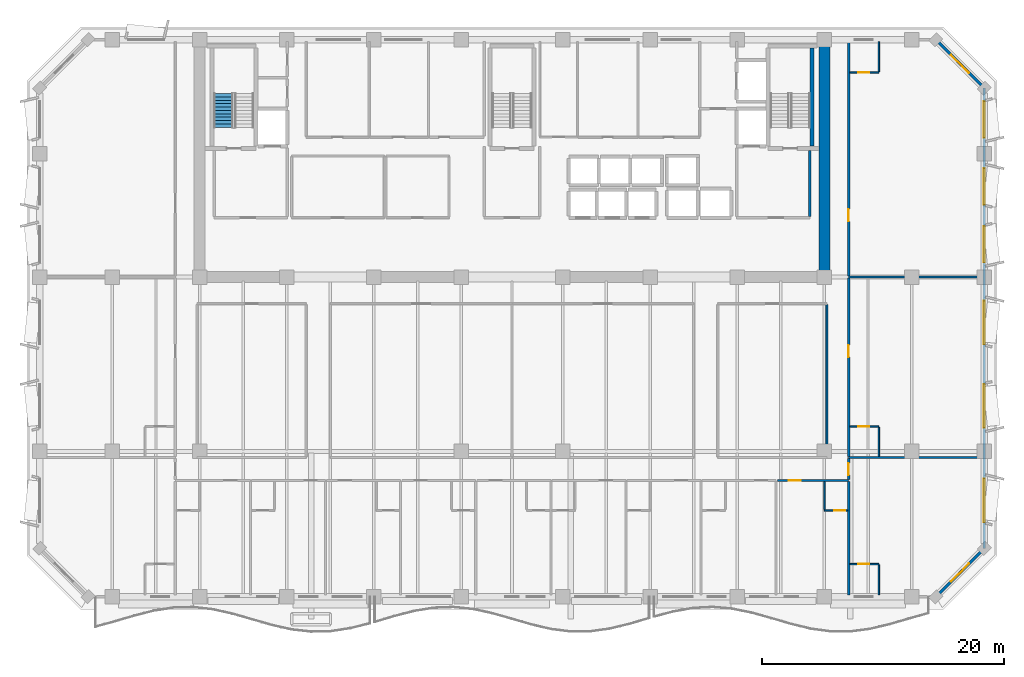
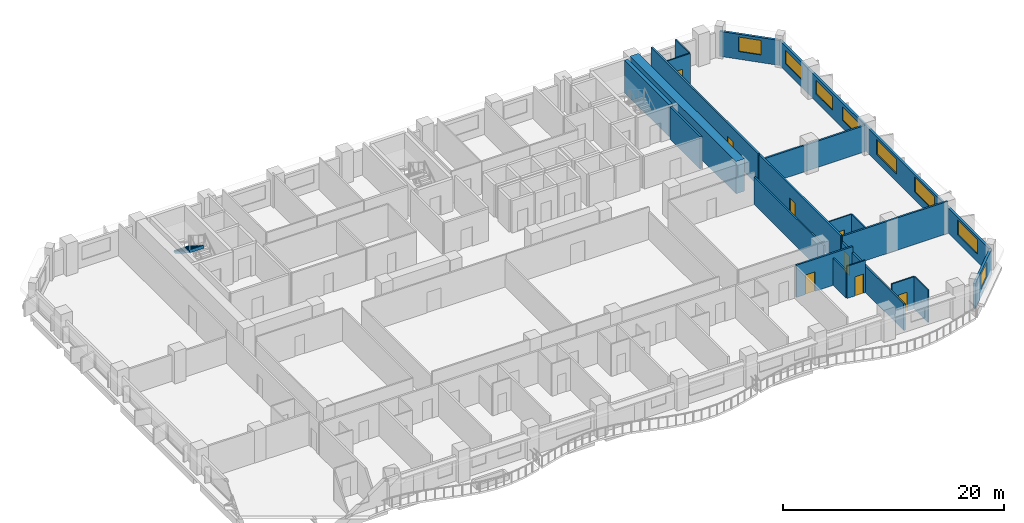
# One storey, part 9 of 15: 22 walls, 8 doors, 8 windows, 1 stair flight, 16 openings, 1 element without a shape of its own.
"""IFC4 building model written with IfcOpenShell, lengths in metres."""

from ifc_helpers import new_model, si_unit, direction, frame, frame_2d, origin, place, context, subcontext, project, spatial, polyline, rectangle, outline, extrude, material, layer, layer_set, type_object, element, fill, aggregate, save


model = new_model("IFC4")

# Units and contexts
model_context = context("Model", 3, precision=1e-05, world=origin(), true_north=direction((0.0, 1.0)))
body_context = subcontext(model_context, "Body", "Model", "MODEL_VIEW")
ifc_project = project(units=[si_unit("LENGTHUNIT", "METRE"), si_unit("AREAUNIT", "SQUARE_METRE"), si_unit("VOLUMEUNIT", "CUBIC_METRE"), si_unit("PLANEANGLEUNIT", "RADIAN"), si_unit("MASSUNIT", "GRAM", prefix="KILO")], contexts=[model_context])

# Site, building, storey
site_placement = place(None, origin())
site = spatial("IfcSite", under=ifc_project, at=site_placement, CompositionType="ELEMENT")
building_placement = place(site_placement, origin())
building = spatial("IfcBuilding", under=site, at=building_placement, Name="Kaelvorn Grand Hotel", CompositionType="ELEMENT")
storey_placement = place(building_placement, frame((0.0, 0.0, 154.35009765625)))
storey = spatial("IfcBuildingStorey", under=building, at=storey_placement, Name="L37", CompositionType="ELEMENT", Elevation=154.35009765625)

# Wall
ifc_material_1 = material(Name="Concrete C60/75", Category="concrete")
ifc_layer_1 = layer(ifc_material_1, 0.89990234375)
ifc_layer_set_1 = layer_set([ifc_layer_1], Name="Concrete C60/75")
wall_type_1 = type_object("IfcWallType", Name="WL-CORE-900-C60", PredefinedType="SHEAR", material=ifc_layer_set_1)
wall_1_placement = place(storey_placement, frame((67.800048828125, 29.39990234375, 0.0), z_axis=(0.0, 0.0, 1.0), x_axis=(0.0, 1.0, 0.0)))
element("IfcWall", 1, at=wall_1_placement, inside=storey, type_object=wall_type_1, Name="L37 Rear-Core East Shear Wall", PredefinedType="SHEAR", context=body_context, shape_type="SweptSolid", body=[
    extrude(rectangle(XDim=19.2001953125, YDim=0.89990234375, at=frame_2d((9.60009765625, 0.0))), origin(), (0.0, 0.0, 1.0), 3.559814453125),
])

# Wall, opening, window
ifc_material_2 = material(Name="Concrete C40/50", Category="concrete")
ifc_layer_2 = layer(ifc_material_2, 0.239990234375)
ifc_layer_set_2 = layer_set([ifc_layer_2], Name="Concrete C40/50")
wall_type_2 = type_object("IfcWallType", Name="WL-EXT-240-C40", PredefinedType="SOLIDWALL", material=ifc_layer_set_2)
wall_2_placement = place(storey_placement, frame((77.0, 3.0, 0.0), z_axis=(0.0, 0.0, 1.0), x_axis=(0.707106781187, 0.707106781187, 0.0)))
wall_2 = element("IfcWall", 2, at=wall_2_placement, inside=storey, type_object=wall_type_2, Name="L37 Exterior Architectural Concrete Wall 02", PredefinedType="SOLIDWALL", context=body_context, shape_type="SweptSolid", body=[
    extrude(rectangle(XDim=5.65673828125, YDim=0.239990234375, at=frame_2d((2.828369140625, 0.0))), origin(), (0.0, 0.0, 1.0), 2.760009765625),
])
opening_1_placement = place(wall_2_placement, frame((1.7783203125, 0.0, 0.85009765625)))
opening_1 = element("IfcOpeningElement", 3, at=opening_1_placement, cuts=wall_2, Name="Opening W7", PredefinedType="OPENING", context=body_context, shape_type="SweptSolid", body=[
    extrude(rectangle(XDim=2.10009765625, YDim=1.60009765625, at=frame_2d((1.050048828125, 0.800048828125))), frame((0.0, 0.1298828125, 0.0), z_axis=(0.0, -1.0, 0.0), x_axis=(1.0, 0.0, 0.0)), (0.0, 0.0, 1.0), 0.260009765625),
])
ifc_material_3 = material(Name="Laminated Low-E Glass", Category="glass")
window_type_1 = type_object("IfcWindowType", Name="WIN-CHM-2100x1600", PartitioningType="SINGLE_PANEL", PredefinedType="WINDOW", material=ifc_material_3)
window_1_placement = place(opening_1_placement, origin())
window_1 = element("IfcWindow", 4, at=window_1_placement, inside=storey, type_object=window_type_1, Name="L37 Chamfered 45-Degree Corner Window SE", OverallHeight=1.60009765625, OverallWidth=2.10009765625, PartitioningType="SINGLE_PANEL", PredefinedType="WINDOW", context=body_context, shape_type="SweptSolid", body=[
    extrude(rectangle(XDim=2.10009765625, YDim=1.60009765625, at=frame_2d((1.050048828125, 0.800048828125))), frame((0.0, 0.030029296875, 0.0), z_axis=(0.0, -1.0, 0.0), x_axis=(1.0, 0.0, 0.0)), (0.0, 0.0, 1.0), 0.06005859375),
])
fill(opening_1, window_1)

# Wall, openings, windows
wall_3_placement = place(storey_placement, frame((81.0, 7.0, 0.0), z_axis=(0.0, 0.0, 1.0), x_axis=(0.0, 1.0, 0.0)))
wall_3 = element("IfcWall", 5, at=wall_3_placement, inside=storey, type_object=wall_type_2, Name="L37 Exterior Architectural Concrete Wall 03", PredefinedType="SOLIDWALL", context=body_context, shape_type="SweptSolid", body=[
    extrude(rectangle(XDim=38.0, YDim=0.239990234375, at=frame_2d((19.0, 0.0))), origin(), (0.0, 0.0, 1.0), 2.760009765625),
])
opening_2_placement = place(wall_3_placement, frame((2.14990234375, 0.0, 0.85009765625)))
opening_2 = element("IfcOpeningElement", 6, at=opening_2_placement, cuts=wall_3, Name="Opening W3", PredefinedType="OPENING", context=body_context, shape_type="SweptSolid", body=[
    extrude(rectangle(XDim=3.60009765625, YDim=1.64990234375, at=frame_2d((1.800048828125, 0.824951171875))), frame((0.0, 0.1298828125, 0.0), z_axis=(0.0, -1.0, 0.0), x_axis=(1.0, 0.0, 0.0)), (0.0, 0.0, 1.0), 0.260009765625),
])
opening_3_placement = place(wall_3_placement, frame((9.965087890625, 0.0, 0.85009765625)))
opening_3 = element("IfcOpeningElement", 7, at=opening_3_placement, cuts=wall_3, Name="Opening W3", PredefinedType="OPENING", context=body_context, shape_type="SweptSolid", body=[
    extrude(rectangle(XDim=3.60009765625, YDim=1.64990234375, at=frame_2d((1.800048828125, 0.824951171875))), frame((0.0, 0.1298828125, 0.0), z_axis=(0.0, -1.0, 0.0), x_axis=(1.0, 0.0, 0.0)), (0.0, 0.0, 1.0), 0.260009765625),
])
opening_4_placement = place(wall_3_placement, frame((16.8349609375, 0.0, 0.85009765625)))
opening_4 = element("IfcOpeningElement", 8, at=opening_4_placement, cuts=wall_3, Name="Opening W3", PredefinedType="OPENING", context=body_context, shape_type="SweptSolid", body=[
    extrude(rectangle(XDim=3.60009765625, YDim=1.64990234375, at=frame_2d((1.800048828125, 0.824951171875))), frame((0.0, 0.1298828125, 0.0), z_axis=(0.0, -1.0, 0.0), x_axis=(1.0, 0.0, 0.0)), (0.0, 0.0, 1.0), 0.260009765625),
])
opening_5_placement = place(wall_3_placement, frame((23.614990234375, 0.0, 0.85009765625)))
opening_5 = element("IfcOpeningElement", 9, at=opening_5_placement, cuts=wall_3, Name="Opening W5", PredefinedType="OPENING", context=body_context, shape_type="SweptSolid", body=[
    extrude(rectangle(XDim=3.0, YDim=1.5, at=frame_2d((1.5, 0.75))), frame((0.0, 0.1298828125, 0.0), z_axis=(0.0, -1.0, 0.0), x_axis=(1.0, 0.0, 0.0)), (0.0, 0.0, 1.0), 0.260009765625),
])
opening_6_placement = place(wall_3_placement, frame((28.385009765625, 0.0, 0.85009765625)))
opening_6 = element("IfcOpeningElement", 10, at=opening_6_placement, cuts=wall_3, Name="Opening W5", PredefinedType="OPENING", context=body_context, shape_type="SweptSolid", body=[
    extrude(rectangle(XDim=3.0, YDim=1.5, at=frame_2d((1.5, 0.75))), frame((0.0, 0.1298828125, 0.0), z_axis=(0.0, -1.0, 0.0), x_axis=(1.0, 0.0, 0.0)), (0.0, 0.0, 1.0), 0.260009765625),
])
opening_7_placement = place(wall_3_placement, frame((33.9150390625, 0.0, 0.85009765625)))
opening_7 = element("IfcOpeningElement", 11, at=opening_7_placement, cuts=wall_3, Name="Opening W5", PredefinedType="OPENING", context=body_context, shape_type="SweptSolid", body=[
    extrude(rectangle(XDim=3.0, YDim=1.5, at=frame_2d((1.5, 0.75))), frame((0.0, 0.1298828125, 0.0), z_axis=(0.0, -1.0, 0.0), x_axis=(1.0, 0.0, 0.0)), (0.0, 0.0, 1.0), 0.260009765625),
])
window_type_2 = type_object("IfcWindowType", Name="WIN-NTH-3000x1500", PartitioningType="SINGLE_PANEL", PredefinedType="WINDOW", material=ifc_material_3)
window_2_placement = place(opening_5_placement, origin())
window_2 = element("IfcWindow", 12, at=window_2_placement, inside=storey, type_object=window_type_2, Name="L37 E Wing Tilted-Frame Ribbon Window E04", OverallHeight=1.5, OverallWidth=3.0, PartitioningType="SINGLE_PANEL", PredefinedType="WINDOW", context=body_context, shape_type="SweptSolid", body=[
    extrude(rectangle(XDim=3.0, YDim=1.5, at=frame_2d((1.5, 0.75))), frame((0.0, 0.030029296875, 0.0), z_axis=(0.0, -1.0, 0.0), x_axis=(1.0, 0.0, 0.0)), (0.0, 0.0, 1.0), 0.06005859375),
])
fill(opening_5, window_2)
window_3_placement = place(opening_6_placement, origin())
window_3 = element("IfcWindow", 13, at=window_3_placement, inside=storey, type_object=window_type_2, Name="L37 E Wing Tilted-Frame Ribbon Window E05", OverallHeight=1.5, OverallWidth=3.0, PartitioningType="SINGLE_PANEL", PredefinedType="WINDOW", context=body_context, shape_type="SweptSolid", body=[
    extrude(rectangle(XDim=3.0, YDim=1.5, at=frame_2d((1.5, 0.75))), frame((0.0, 0.030029296875, 0.0), z_axis=(0.0, -1.0, 0.0), x_axis=(1.0, 0.0, 0.0)), (0.0, 0.0, 1.0), 0.06005859375),
])
fill(opening_6, window_3)
window_4_placement = place(opening_7_placement, origin())
window_4 = element("IfcWindow", 14, at=window_4_placement, inside=storey, type_object=window_type_2, Name="L37 E Wing Tilted-Frame Ribbon Window E06", OverallHeight=1.5, OverallWidth=3.0, PartitioningType="SINGLE_PANEL", PredefinedType="WINDOW", context=body_context, shape_type="SweptSolid", body=[
    extrude(rectangle(XDim=3.0, YDim=1.5, at=frame_2d((1.5, 0.75))), frame((0.0, 0.030029296875, 0.0), z_axis=(0.0, -1.0, 0.0), x_axis=(1.0, 0.0, 0.0)), (0.0, 0.0, 1.0), 0.06005859375),
])
fill(opening_7, window_4)
window_type_3 = type_object("IfcWindowType", Name="WIN-RIB-3600x1750", PartitioningType="SINGLE_PANEL", PredefinedType="WINDOW", material=ifc_material_3)
window_5_placement = place(opening_2_placement, origin())
window_5 = element("IfcWindow", 15, at=window_5_placement, inside=storey, type_object=window_type_3, Name="L37 E Wing Tilted-Frame Ribbon Window E01", OverallHeight=1.64990234375, OverallWidth=3.60009765625, PartitioningType="SINGLE_PANEL", PredefinedType="WINDOW", context=body_context, shape_type="SweptSolid", body=[
    extrude(rectangle(XDim=3.60009765625, YDim=1.64990234375, at=frame_2d((1.800048828125, 0.824951171875))), frame((0.0, 0.030029296875, 0.0), z_axis=(0.0, -1.0, 0.0), x_axis=(1.0, 0.0, 0.0)), (0.0, 0.0, 1.0), 0.06005859375),
])
fill(opening_2, window_5)
window_6_placement = place(opening_3_placement, origin())
window_6 = element("IfcWindow", 16, at=window_6_placement, inside=storey, type_object=window_type_3, Name="L37 E Wing Tilted-Frame Ribbon Window E02", OverallHeight=1.64990234375, OverallWidth=3.60009765625, PartitioningType="SINGLE_PANEL", PredefinedType="WINDOW", context=body_context, shape_type="SweptSolid", body=[
    extrude(rectangle(XDim=3.60009765625, YDim=1.64990234375, at=frame_2d((1.800048828125, 0.824951171875))), frame((0.0, 0.030029296875, 0.0), z_axis=(0.0, -1.0, 0.0), x_axis=(1.0, 0.0, 0.0)), (0.0, 0.0, 1.0), 0.06005859375),
])
fill(opening_3, window_6)
window_7_placement = place(opening_4_placement, origin())
window_7 = element("IfcWindow", 17, at=window_7_placement, inside=storey, type_object=window_type_3, Name="L37 E Wing Tilted-Frame Ribbon Window E03", OverallHeight=1.64990234375, OverallWidth=3.60009765625, PartitioningType="SINGLE_PANEL", PredefinedType="WINDOW", context=body_context, shape_type="SweptSolid", body=[
    extrude(rectangle(XDim=3.60009765625, YDim=1.64990234375, at=frame_2d((1.800048828125, 0.824951171875))), frame((0.0, 0.030029296875, 0.0), z_axis=(0.0, -1.0, 0.0), x_axis=(1.0, 0.0, 0.0)), (0.0, 0.0, 1.0), 0.06005859375),
])
fill(opening_4, window_7)

# Wall, opening, window
wall_4_placement = place(storey_placement, frame((81.0, 45.0, 0.0), z_axis=(0.0, 0.0, 1.0), x_axis=(-0.707106781187, 0.707106781187, 0.0)))
wall_4 = element("IfcWall", 18, at=wall_4_placement, inside=storey, type_object=wall_type_2, Name="L37 Exterior Architectural Concrete Wall 04", PredefinedType="SOLIDWALL", context=body_context, shape_type="SweptSolid", body=[
    extrude(rectangle(XDim=5.65673828125, YDim=0.239990234375, at=frame_2d((2.828369140625, 0.0))), origin(), (0.0, 0.0, 1.0), 2.760009765625),
])
opening_8_placement = place(wall_4_placement, frame((1.7783203125, 0.0, 0.85009765625)))
opening_8 = element("IfcOpeningElement", 19, at=opening_8_placement, cuts=wall_4, Name="Opening W7", PredefinedType="OPENING", context=body_context, shape_type="SweptSolid", body=[
    extrude(rectangle(XDim=2.10009765625, YDim=1.60009765625, at=frame_2d((1.050048828125, 0.800048828125))), frame((0.0, 0.1298828125, 0.0), z_axis=(0.0, -1.0, 0.0), x_axis=(1.0, 0.0, 0.0)), (0.0, 0.0, 1.0), 0.260009765625),
])
window_8_placement = place(opening_8_placement, origin())
window_8 = element("IfcWindow", 20, at=window_8_placement, inside=storey, type_object=window_type_1, Name="L37 Chamfered 45-Degree Corner Window NE", OverallHeight=1.60009765625, OverallWidth=2.10009765625, PartitioningType="SINGLE_PANEL", PredefinedType="WINDOW", context=body_context, shape_type="SweptSolid", body=[
    extrude(rectangle(XDim=2.10009765625, YDim=1.60009765625, at=frame_2d((1.050048828125, 0.800048828125))), frame((0.0, 0.030029296875, 0.0), z_axis=(0.0, -1.0, 0.0), x_axis=(1.0, 0.0, 0.0)), (0.0, 0.0, 1.0), 0.06005859375),
])
fill(opening_8, window_8)

# Wall, opening, door
ifc_material_4 = material(Name="Moisture-Resistant Tile & Stud Board")
ifc_layer_3 = layer(ifc_material_4, 0.125)
ifc_layer_set_3 = layer_set([ifc_layer_3], Name="Moisture-Resistant Tile & Stud Board")
wall_type_3 = type_object("IfcWallType", Name="WL-PART-125-WET", PredefinedType="PARTITIONING", material=ifc_layer_set_3)
wall_5_placement = place(storey_placement, frame((67.800048828125, 10.139892578125, 0.0), z_axis=(0.0, 0.0, 1.0), x_axis=(1.0, 0.0, 0.0)))
wall_5 = element("IfcWall", 21, at=wall_5_placement, inside=storey, type_object=wall_type_3, Name="L37 En-suite Bathroom L37-09 S Partition", PredefinedType="PARTITIONING", context=body_context, shape_type="SweptSolid", body=[
    extrude(rectangle(XDim=1.905029296875, YDim=0.125, at=frame_2d((0.95263671875, 0.0))), origin(), (0.0, 0.0, 1.0), 3.559814453125),
])
opening_9_placement = place(wall_5_placement, frame((0.800048828125, 0.0, 0.0)))
opening_9 = element("IfcOpeningElement", 22, at=opening_9_placement, cuts=wall_5, Name="Opening DI4", PredefinedType="OPENING", context=body_context, shape_type="SweptSolid", body=[
    extrude(rectangle(XDim=0.89990234375, YDim=2.10009765625, at=frame_2d((0.449951171875, 1.050048828125))), frame((0.0, 0.072509765625, 0.0), z_axis=(0.0, -1.0, 0.0), x_axis=(1.0, 0.0, 0.0)), (0.0, 0.0, 1.0), 0.14501953125),
])
ifc_material_5 = material(Name="Timber Veneer Leaf", Category="wood")
door_type_1 = type_object("IfcDoorType", Name="DR-INT-BATH-900x2100", OperationType="NOTDEFINED", PredefinedType="DOOR", material=ifc_material_5)
door_1_placement = place(opening_9_placement, origin())
door_1 = element("IfcDoor", 23, at=door_1_placement, inside=storey, type_object=door_type_1, Name="L37 En-suite Bathroom L37-09 Door", OperationType="SINGLE_SWING_RIGHT", OverallHeight=2.10009765625, OverallWidth=0.89990234375, PredefinedType="DOOR", context=body_context, shape_type="SweptSolid", body=[
    extrude(rectangle(XDim=0.89990234375, YDim=2.10009765625, at=frame_2d((0.449951171875, 1.050048828125))), frame((0.0, 0.02490234375, 0.0), z_axis=(0.0, -1.0, 0.0), x_axis=(1.0, 0.0, 0.0)), (0.0, 0.0, 1.0), 0.050048828125),
])
fill(opening_9, door_1)

# Wall
wall_6_placement = place(storey_placement, frame((67.800048828125, 10.20751953125, 0.0), z_axis=(0.0, 0.0, 1.0), x_axis=(0.0, 1.0, 0.0)))
element("IfcWall", 24, at=wall_6_placement, inside=storey, type_object=wall_type_3, Name="L37 En-suite Bathroom L37-09 W Partition", PredefinedType="PARTITIONING", context=body_context, shape_type="SweptSolid", body=[
    extrude(rectangle(XDim=2.29736328125, YDim=0.125, at=frame_2d((1.148681640625, 0.0))), origin(), (0.0, 0.0, 1.0), 3.010009765625),
])

# Wall, opening, door
wall_7_placement = place(storey_placement, frame((69.89501953125, 5.699951171875, 0.0), z_axis=(0.0, 0.0, 1.0), x_axis=(1.0, 0.0, 0.0)))
wall_7 = element("IfcWall", 25, at=wall_7_placement, inside=storey, type_object=wall_type_3, Name="L37 En-suite Bathroom L37-12 N Partition", PredefinedType="PARTITIONING", context=body_context, shape_type="SweptSolid", body=[
    extrude(rectangle(XDim=2.405029296875, YDim=0.125, at=frame_2d((1.20263671875, 0.0))), origin(), (0.0, 0.0, 1.0), 3.559814453125),
])
opening_10_placement = place(wall_7_placement, frame((0.705078125, 0.0, 0.0)))
opening_10 = element("IfcOpeningElement", 26, at=opening_10_placement, cuts=wall_7, Name="Opening DI4", PredefinedType="OPENING", context=body_context, shape_type="SweptSolid", body=[
    extrude(rectangle(XDim=0.89990234375, YDim=2.10009765625, at=frame_2d((0.449951171875, 1.050048828125))), frame((0.0, 0.072509765625, 0.0), z_axis=(0.0, -1.0, 0.0), x_axis=(1.0, 0.0, 0.0)), (0.0, 0.0, 1.0), 0.14501953125),
])
door_2_placement = place(opening_10_placement, origin())
door_2 = element("IfcDoor", 27, at=door_2_placement, inside=storey, type_object=door_type_1, Name="L37 En-suite Bathroom L37-12 Door", OperationType="SINGLE_SWING_RIGHT", OverallHeight=2.10009765625, OverallWidth=0.89990234375, PredefinedType="DOOR", context=body_context, shape_type="SweptSolid", body=[
    extrude(rectangle(XDim=0.89990234375, YDim=2.10009765625, at=frame_2d((0.449951171875, 1.050048828125))), frame((0.0, 0.02490234375, 0.0), z_axis=(0.0, -1.0, 0.0), x_axis=(1.0, 0.0, 0.0)), (0.0, 0.0, 1.0), 0.050048828125),
])
fill(opening_10, door_2)

# Wall
wall_8_placement = place(storey_placement, frame((72.300048828125, 3.14990234375, 0.0), z_axis=(0.0, 0.0, 1.0), x_axis=(0.0, 1.0, 0.0)))
element("IfcWall", 28, at=wall_8_placement, inside=storey, type_object=wall_type_3, Name="L37 En-suite Bathroom L37-12 E Partition", PredefinedType="PARTITIONING", context=body_context, shape_type="SweptSolid", body=[
    extrude(rectangle(XDim=2.482666015625, YDim=0.125, at=frame_2d((1.2412109375, 0.0))), origin(), (0.0, 0.0, 1.0), 3.559814453125),
])

# Wall, opening, door
wall_9_placement = place(storey_placement, frame((69.89501953125, 17.050048828125, 0.0), z_axis=(0.0, 0.0, 1.0), x_axis=(1.0, 0.0, 0.0)))
wall_9 = element("IfcWall", 29, at=wall_9_placement, inside=storey, type_object=wall_type_3, Name="L37 En-suite Bathroom L37-13 N Partition", PredefinedType="PARTITIONING", context=body_context, shape_type="SweptSolid", body=[
    extrude(rectangle(XDim=2.405029296875, YDim=0.125, at=frame_2d((1.20263671875, 0.0))), origin(), (0.0, 0.0, 1.0), 3.559814453125),
])
opening_11_placement = place(wall_9_placement, frame((0.705078125, 0.0, 0.0)))
opening_11 = element("IfcOpeningElement", 30, at=opening_11_placement, cuts=wall_9, Name="Opening DI4", PredefinedType="OPENING", context=body_context, shape_type="SweptSolid", body=[
    extrude(rectangle(XDim=0.89990234375, YDim=2.10009765625, at=frame_2d((0.449951171875, 1.050048828125))), frame((0.0, 0.072509765625, 0.0), z_axis=(0.0, -1.0, 0.0), x_axis=(1.0, 0.0, 0.0)), (0.0, 0.0, 1.0), 0.14501953125),
])
door_3_placement = place(opening_11_placement, origin())
door_3 = element("IfcDoor", 31, at=door_3_placement, inside=storey, type_object=door_type_1, Name="L37 En-suite Bathroom L37-13 Door", OperationType="SINGLE_SWING_RIGHT", OverallHeight=2.10009765625, OverallWidth=0.89990234375, PredefinedType="DOOR", context=body_context, shape_type="SweptSolid", body=[
    extrude(rectangle(XDim=0.89990234375, YDim=2.10009765625, at=frame_2d((0.449951171875, 1.050048828125))), frame((0.0, 0.02490234375, 0.0), z_axis=(0.0, -1.0, 0.0), x_axis=(1.0, 0.0, 0.0)), (0.0, 0.0, 1.0), 0.050048828125),
])
fill(opening_11, door_3)

# Wall
wall_10_placement = place(storey_placement, frame((72.300048828125, 14.594970703125, 0.0), z_axis=(0.0, 0.0, 1.0), x_axis=(0.0, 1.0, 0.0)))
element("IfcWall", 32, at=wall_10_placement, inside=storey, type_object=wall_type_3, Name="L37 En-suite Bathroom L37-13 E Partition", PredefinedType="PARTITIONING", context=body_context, shape_type="SweptSolid", body=[
    extrude(rectangle(XDim=2.387451171875, YDim=0.125, at=frame_2d((1.19384765625, 0.0))), origin(), (0.0, 0.0, 1.0), 3.559814453125),
])

# Wall, opening, door
wall_11_placement = place(storey_placement, frame((69.89501953125, 46.300048828125, 0.0), z_axis=(0.0, 0.0, 1.0), x_axis=(1.0, 0.0, 0.0)))
wall_11 = element("IfcWall", 33, at=wall_11_placement, inside=storey, type_object=wall_type_3, Name="L37 En-suite Bathroom L37-14 S Partition", PredefinedType="PARTITIONING", context=body_context, shape_type="SweptSolid", body=[
    extrude(rectangle(XDim=2.405029296875, YDim=0.125, at=frame_2d((1.20263671875, 0.0))), origin(), (0.0, 0.0, 1.0), 3.559814453125),
])
opening_12_placement = place(wall_11_placement, frame((0.705078125, 0.0, 0.0)))
opening_12 = element("IfcOpeningElement", 34, at=opening_12_placement, cuts=wall_11, Name="Opening DI4", PredefinedType="OPENING", context=body_context, shape_type="SweptSolid", body=[
    extrude(rectangle(XDim=0.89990234375, YDim=2.10009765625, at=frame_2d((0.449951171875, 1.050048828125))), frame((0.0, 0.072509765625, 0.0), z_axis=(0.0, -1.0, 0.0), x_axis=(1.0, 0.0, 0.0)), (0.0, 0.0, 1.0), 0.14501953125),
])
door_4_placement = place(opening_12_placement, origin())
door_4 = element("IfcDoor", 35, at=door_4_placement, inside=storey, type_object=door_type_1, Name="L37 En-suite Bathroom L37-14 Door", OperationType="SINGLE_SWING_RIGHT", OverallHeight=2.10009765625, OverallWidth=0.89990234375, PredefinedType="DOOR", context=body_context, shape_type="SweptSolid", body=[
    extrude(rectangle(XDim=0.89990234375, YDim=2.10009765625, at=frame_2d((0.449951171875, 1.050048828125))), frame((0.0, 0.02490234375, 0.0), z_axis=(0.0, -1.0, 0.0), x_axis=(1.0, 0.0, 0.0)), (0.0, 0.0, 1.0), 0.050048828125),
])
fill(opening_12, door_4)

# Walls
wall_12_placement = place(storey_placement, frame((72.300048828125, 46.367431640625, 0.0), z_axis=(0.0, 0.0, 1.0), x_axis=(0.0, 1.0, 0.0)))
element("IfcWall", 36, at=wall_12_placement, inside=storey, type_object=wall_type_3, Name="L37 En-suite Bathroom L37-14 E Partition", PredefinedType="PARTITIONING", context=body_context, shape_type="SweptSolid", body=[
    extrude(rectangle(XDim=2.482666015625, YDim=0.125, at=frame_2d((1.2412109375, 0.0))), origin(), (0.0, 0.0, 1.0), 3.559814453125),
])
ifc_material_6 = material(Name="Acoustic Gypsum & Stud Partition")
ifc_layer_4 = layer(ifc_material_6, 0.14990234375)
ifc_layer_set_4 = layer_set([ifc_layer_4], Name="Acoustic Gypsum & Stud Partition")
wall_type_4 = type_object("IfcWallType", Name="WL-PART-150-EI60", PredefinedType="PARTITIONING", material=ifc_layer_set_4)
wall_13_placement = place(storey_placement, frame((68.0, 14.580078125, 0.0), z_axis=(0.0, 0.0, 1.0), x_axis=(0.0, 1.0, 0.0)))
element("IfcWall", 37, at=wall_13_placement, inside=storey, type_object=wall_type_4, Name="L37 Concierge Admin Office E Partition", PredefinedType="PARTITIONING", context=body_context, shape_type="SweptSolid", body=[
    extrude(rectangle(XDim=12.5400390625, YDim=0.14990234375, at=frame_2d((6.27001953125, 0.0))), origin(), (0.0, 0.0, 1.0), 3.059814453125),
])

# Wall, opening, door
ifc_layer_5 = layer(ifc_material_6, 0.179931640625)
ifc_layer_set_5 = layer_set([ifc_layer_5], Name="Acoustic Gypsum & Stud Partition")
wall_type_5 = type_object("IfcWallType", Name="WL-PART-180-EI60", PredefinedType="PARTITIONING", material=ifc_layer_set_5)
wall_14_placement = place(storey_placement, frame((63.9072265625, 12.60009765625, 0.0), z_axis=(0.0, 0.0, 1.0), x_axis=(1.0, 0.0, 0.0)))
wall_14 = element("IfcWall", 38, at=wall_14_placement, inside=storey, type_object=wall_type_5, Name="L37 Superior King Guest Room L37-09 N Partition", PredefinedType="PARTITIONING", context=body_context, shape_type="SweptSolid", body=[
    extrude(rectangle(XDim=5.892822265625, YDim=0.179931640625, at=frame_2d((2.9462890625, 0.0))), origin(), (0.0, 0.0, 1.0), 3.559814453125),
])
opening_13_placement = place(wall_14_placement, frame((0.94873046875, 0.0, 0.0)))
opening_13 = element("IfcOpeningElement", 39, at=opening_13_placement, cuts=wall_14, Name="Opening DI3", PredefinedType="OPENING", context=body_context, shape_type="SweptSolid", body=[
    extrude(rectangle(XDim=1.0, YDim=2.14990234375, at=frame_2d((0.5, 1.074951171875))), frame((0.0, 0.10009765625, 0.0), z_axis=(0.0, -1.0, 0.0), x_axis=(1.0, 0.0, 0.0)), (0.0, 0.0, 1.0), 0.199951171875),
])
ifc_material_7 = material(Name="Timber Veneer Fire Leaf", Category="wood")
door_type_2 = type_object("IfcDoorType", Name="DR-INT-GUEST-1000x2150", OperationType="NOTDEFINED", PredefinedType="DOOR", material=ifc_material_7)
door_5_placement = place(opening_13_placement, origin())
door_5 = element("IfcDoor", 40, at=door_5_placement, inside=storey, type_object=door_type_2, Name="L37 Superior King Guest Room L37-09 Door", OperationType="SINGLE_SWING_LEFT", OverallHeight=2.14990234375, OverallWidth=1.0, PredefinedType="DOOR", context=body_context, shape_type="SweptSolid", body=[
    extrude(rectangle(XDim=1.0, YDim=2.14990234375, at=frame_2d((0.5, 1.074951171875))), frame((0.0, 0.02490234375, 0.0), z_axis=(0.0, -1.0, 0.0), x_axis=(1.0, 0.0, 0.0)), (0.0, 0.0, 1.0), 0.050048828125),
])
fill(opening_13, door_5)

# Walls
wall_15_placement = place(storey_placement, frame((69.800048828125, 3.14990234375, 0.0), z_axis=(0.0, 0.0, 1.0), x_axis=(0.0, 1.0, 0.0)))
element("IfcWall", 41, at=wall_15_placement, inside=storey, type_object=wall_type_5, Name="L37 Superior King Guest Room L37-09 E Partition", PredefinedType="PARTITIONING", context=body_context, shape_type="SweptSolid", body=[
    extrude(rectangle(XDim=9.35498046875, YDim=0.179931640625, at=frame_2d((4.677490234375, 0.0))), origin(), (0.0, 0.0, 1.0), 2.929931640625),
])
wall_16_placement = place(storey_placement, frame((69.800048828125, 14.5, 0.0), z_axis=(0.0, 0.0, 1.0), x_axis=(1.0, 0.0, 0.0)))
element("IfcWall", 42, at=wall_16_placement, inside=storey, type_object=wall_type_5, Name="L37 South-East Chamfer Suite L37-12 N Partition", PredefinedType="PARTITIONING", context=body_context, shape_type="SweptSolid", body=[
    extrude(rectangle(XDim=11.050048828125, YDim=0.179931640625, at=frame_2d((5.52490234375, 0.0))), origin(), (0.0, 0.0, 1.0), 3.559814453125),
])

# Wall, opening, door
wall_17_placement = place(storey_placement, frame((69.800048828125, 12.695068359375, 0.0), z_axis=(0.0, 0.0, 1.0), x_axis=(0.0, 1.0, 0.0)))
wall_17 = element("IfcWall", 43, at=wall_17_placement, inside=storey, type_object=wall_type_5, Name="L37 South-East Chamfer Suite L37-12 W Partition", PredefinedType="PARTITIONING", context=body_context, shape_type="SweptSolid", body=[
    extrude(rectangle(XDim=1.7099609375, YDim=0.179931640625, at=frame_2d((0.85498046875, 0.0))), origin(), (0.0, 0.0, 1.0), 2.929931640625),
])
opening_14_placement = place(wall_17_placement, frame((0.35009765625, 0.0, 0.0)))
opening_14 = element("IfcOpeningElement", 44, at=opening_14_placement, cuts=wall_17, Name="Opening DI3", PredefinedType="OPENING", context=body_context, shape_type="SweptSolid", body=[
    extrude(rectangle(XDim=1.0, YDim=2.14990234375, at=frame_2d((0.5, 1.074951171875))), frame((0.0, 0.10009765625, 0.0), z_axis=(0.0, -1.0, 0.0), x_axis=(1.0, 0.0, 0.0)), (0.0, 0.0, 1.0), 0.199951171875),
])
door_6_placement = place(opening_14_placement, origin())
door_6 = element("IfcDoor", 45, at=door_6_placement, inside=storey, type_object=door_type_2, Name="L37 South-East Chamfer Suite L37-12 Door", OperationType="SINGLE_SWING_LEFT", OverallHeight=2.14990234375, OverallWidth=1.0, PredefinedType="DOOR", context=body_context, shape_type="SweptSolid", body=[
    extrude(rectangle(XDim=1.0, YDim=2.14990234375, at=frame_2d((0.5, 1.074951171875))), frame((0.0, 0.02490234375, 0.0), z_axis=(0.0, -1.0, 0.0), x_axis=(1.0, 0.0, 0.0)), (0.0, 0.0, 1.0), 0.050048828125),
])
fill(opening_14, door_6)

# Wall
wall_18_placement = place(storey_placement, frame((69.800048828125, 29.39990234375, 0.0), z_axis=(0.0, 0.0, 1.0), x_axis=(1.0, 0.0, 0.0)))
element("IfcWall", 46, at=wall_18_placement, inside=storey, type_object=wall_type_5, Name="L37 East End Panoramic Suite L37-13 N Partition", PredefinedType="PARTITIONING", context=body_context, shape_type="SweptSolid", body=[
    extrude(rectangle(XDim=11.050048828125, YDim=0.179931640625, at=frame_2d((5.52490234375, 0.0))), origin(), (0.0, 0.0, 1.0), 2.909912109375),
])

# Wall, opening, door
wall_19_placement = place(storey_placement, frame((69.800048828125, 14.594970703125, 0.0), z_axis=(0.0, 0.0, 1.0), x_axis=(0.0, 1.0, 0.0)))
wall_19 = element("IfcWall", 47, at=wall_19_placement, inside=storey, type_object=wall_type_5, Name="L37 East End Panoramic Suite L37-13 W Partition", PredefinedType="PARTITIONING", context=body_context, shape_type="SweptSolid", body=[
    extrude(rectangle(XDim=14.7099609375, YDim=0.179931640625, at=frame_2d((7.35498046875, 0.0))), origin(), (0.0, 0.0, 1.0), 3.559814453125),
])
opening_15_placement = place(wall_19_placement, frame((8.18994140625, 0.0, 0.0)))
opening_15 = element("IfcOpeningElement", 48, at=opening_15_placement, cuts=wall_19, Name="Opening DI3", PredefinedType="OPENING", context=body_context, shape_type="SweptSolid", body=[
    extrude(rectangle(XDim=1.0, YDim=2.14990234375, at=frame_2d((0.5, 1.074951171875))), frame((0.0, 0.10009765625, 0.0), z_axis=(0.0, -1.0, 0.0), x_axis=(1.0, 0.0, 0.0)), (0.0, 0.0, 1.0), 0.199951171875),
])
door_7_placement = place(opening_15_placement, origin())
door_7 = element("IfcDoor", 49, at=door_7_placement, inside=storey, type_object=door_type_2, Name="L37 East End Panoramic Suite L37-13 Door", OperationType="SINGLE_SWING_LEFT", OverallHeight=2.14990234375, OverallWidth=1.0, PredefinedType="DOOR", context=body_context, shape_type="SweptSolid", body=[
    extrude(rectangle(XDim=1.0, YDim=2.14990234375, at=frame_2d((0.5, 1.074951171875))), frame((0.0, 0.02490234375, 0.0), z_axis=(0.0, -1.0, 0.0), x_axis=(1.0, 0.0, 0.0)), (0.0, 0.0, 1.0), 0.050048828125),
])
fill(opening_15, door_7)

wall_20_placement = place(storey_placement, frame((69.800048828125, 29.4951171875, 0.0), z_axis=(0.0, 0.0, 1.0), x_axis=(0.0, 1.0, 0.0)))
wall_20 = element("IfcWall", 50, at=wall_20_placement, inside=storey, type_object=wall_type_5, Name="L37 North-East Corner Suite L37-14 W Partition", PredefinedType="PARTITIONING", context=body_context, shape_type="SweptSolid", body=[
    extrude(rectangle(XDim=19.35498046875, YDim=0.179931640625, at=frame_2d((9.677490234375, 0.0))), origin(), (0.0, 0.0, 1.0), 3.559814453125),
])
opening_16_placement = place(wall_20_placement, frame((4.5048828125, 0.0, 0.0)))
opening_16 = element("IfcOpeningElement", 51, at=opening_16_placement, cuts=wall_20, Name="Opening DI3", PredefinedType="OPENING", context=body_context, shape_type="SweptSolid", body=[
    extrude(rectangle(XDim=1.0, YDim=2.14990234375, at=frame_2d((0.5, 1.074951171875))), frame((0.0, 0.10009765625, 0.0), z_axis=(0.0, -1.0, 0.0), x_axis=(1.0, 0.0, 0.0)), (0.0, 0.0, 1.0), 0.199951171875),
])
door_8_placement = place(opening_16_placement, origin())
door_8 = element("IfcDoor", 52, at=door_8_placement, inside=storey, type_object=door_type_2, Name="L37 North-East Corner Suite L37-14 Door", OperationType="SINGLE_SWING_LEFT", OverallHeight=2.14990234375, OverallWidth=1.0, PredefinedType="DOOR", context=body_context, shape_type="SweptSolid", body=[
    extrude(rectangle(XDim=1.0, YDim=2.14990234375, at=frame_2d((0.5, 1.074951171875))), frame((0.0, 0.02490234375, 0.0), z_axis=(0.0, -1.0, 0.0), x_axis=(1.0, 0.0, 0.0)), (0.0, 0.0, 1.0), 0.050048828125),
])
fill(opening_16, door_8)

# Walls
ifc_layer_6 = layer(ifc_material_2, 0.219970703125)
ifc_layer_set_6 = layer_set([ifc_layer_6], Name="Concrete C40/50")
wall_type_6 = type_object("IfcWallType", Name="WL-PART-220-EI120", PredefinedType="PARTITIONING", material=ifc_layer_set_6)
wall_21_placement = place(storey_placement, frame((66.60009765625, 34.4150390625, 0.0), z_axis=(0.0, 0.0, 1.0), x_axis=(0.0, 1.0, 0.0)))
element("IfcWall", 53, at=wall_21_placement, inside=storey, type_object=wall_type_6, Name="L37 Firefighting Lift Lobby 2 E Partition", PredefinedType="PARTITIONING", context=body_context, shape_type="SweptSolid", body=[
    extrude(rectangle(XDim=5.429931640625, YDim=0.219970703125, at=frame_2d((2.71484375, 0.0))), origin(), (0.0, 0.0, 1.0), 3.559814453125),
])
ifc_layer_7 = layer(ifc_material_1, 0.35009765625)
ifc_layer_set_7 = layer_set([ifc_layer_7], Name="Concrete C60/75")
wall_type_7 = type_object("IfcWallType", Name="WL-SHAFT-350-C60", PredefinedType="SHEAR", material=ifc_layer_set_7)
wall_22_placement = place(storey_placement, frame((66.77490234375, 40.205078125, 0.0), z_axis=(0.0, 0.0, 1.0), x_axis=(0.0, 1.0, 0.0)))
element("IfcWall", 54, at=wall_22_placement, inside=storey, type_object=wall_type_7, Name="L37 ST3 Stair Shaft East Wall", PredefinedType="SHEAR", context=body_context, shape_type="SweptSolid", body=[
    extrude(rectangle(XDim=8.08984375, YDim=0.35009765625, at=frame_2d((4.044921875, 0.0))), origin(), (0.0, 0.0, 1.0), 3.559814453125),
])

# Stair, stair flight
stair_type = type_object("IfcStairType", Name="STR-DOG-1560-R08", PredefinedType="HALF_TURN_STAIR", material=ifc_material_2)
stair_placement = place(storey_placement, origin())
stair = element("IfcStair", 55, at=stair_placement, inside=storey, type_object=stair_type, Name="L37 West Core Exit Stair ST1", PredefinedType="HALF_TURN_STAIR")
stair_flight_type = type_object("IfcStairFlightType", Name="FLG-DOG-1560-R08", PredefinedType="STRAIGHT", material=ifc_material_2)
stair_flight_placement = place(storey_placement, frame((18.179931640625, 44.56005859375, 1.89990234375), z_axis=(0.0, 0.0, 1.0), x_axis=(0.0, -1.0, 0.0)))
stair_flight = element("IfcStairFlight", 56, at=stair_flight_placement, type_object=stair_flight_type, Name="ST1 flight 2", NumberOfRisers=11, NumberOfTreads=10, PredefinedType="STRAIGHT", RiserHeight=0.172727273, TreadLength=0.28, context=body_context, shape_type="SweptSolid", body=[
    extrude(outline(polyline([(-0.0048828125, 0.0), (-0.0048828125, 0.0400390625), (0.0, 0.172607421875), (0.280029296875, 0.172607421875), (0.280029296875, 0.345458984375), (0.56005859375, 0.345458984375), (0.56005859375, 0.51806640625), (0.840087890625, 0.51806640625), (0.840087890625, 0.69091796875), (1.1201171875, 0.69091796875), (1.1201171875, 0.863525390625), (1.39990234375, 0.863525390625), (1.39990234375, 1.036376953125), (1.679931640625, 1.036376953125), (1.679931640625, 1.208984375), (1.9599609375, 1.208984375), (1.9599609375, 1.3818359375), (2.239990234375, 1.3818359375), (2.239990234375, 1.554443359375), (2.52001953125, 1.554443359375), (2.52001953125, 1.727294921875), (2.800048828125, 1.727294921875), (2.800048828125, 1.89990234375), (2.804931640625, 1.89990234375), (2.804931640625, 1.551025390625), (0.285400390625, 0.0), (-0.0048828125, 0.0)])), frame((0.0, 0.780029296875, 0.0), z_axis=(0.0, -1.0, 0.0), x_axis=(1.0, 0.0, 0.0)), (0.0, 0.0, 1.0), 1.56005859375),
])
aggregate(stair, [stair_flight])

save(model, "model.ifc")
